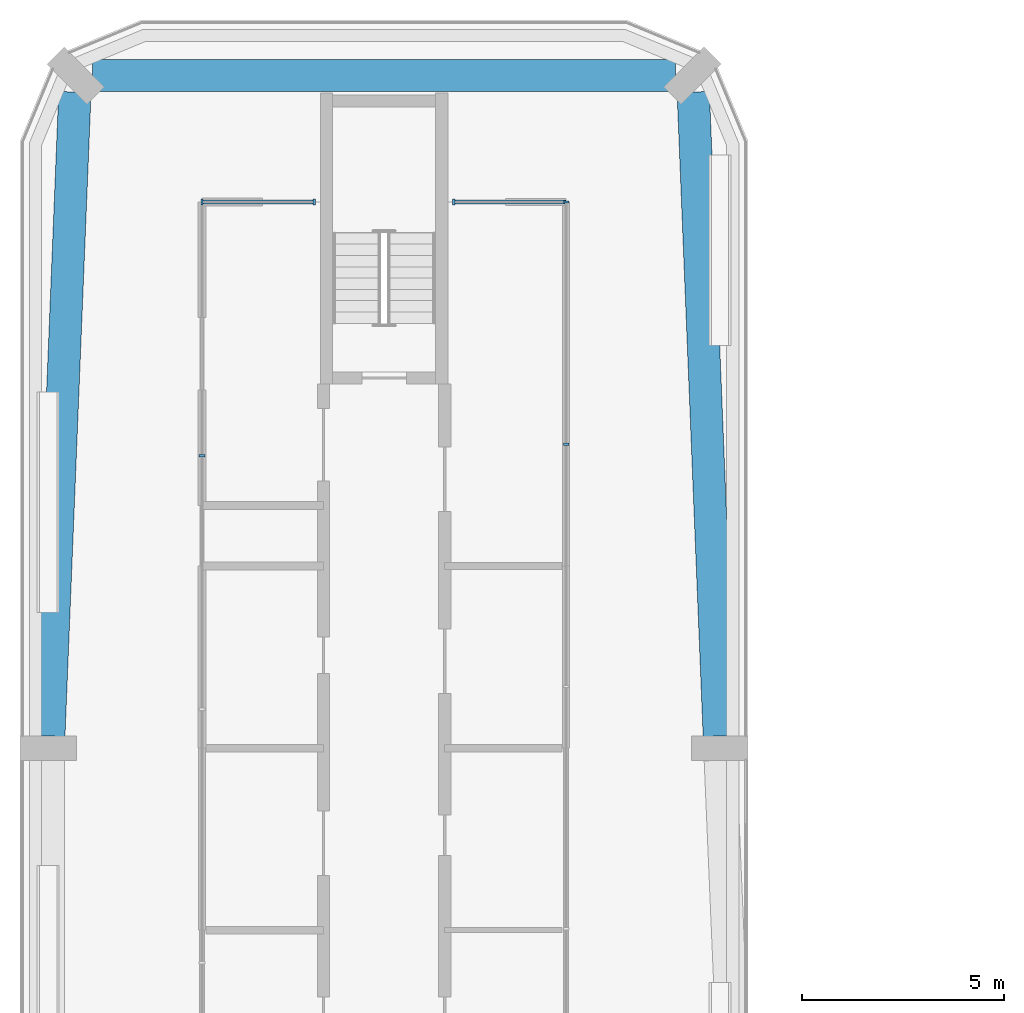
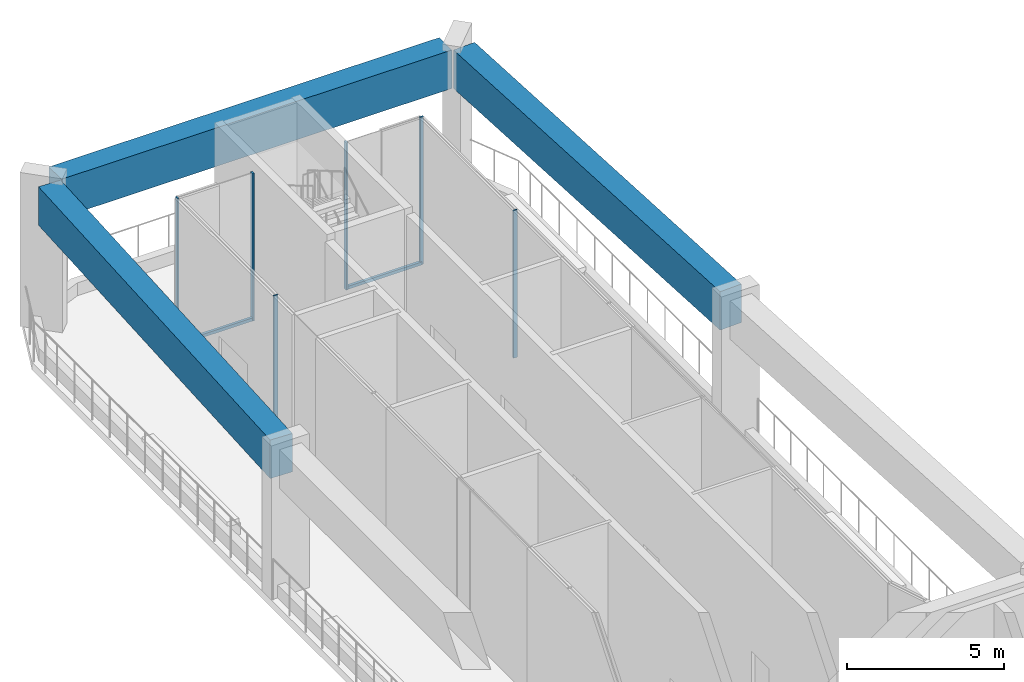
# One storey, part 8 of 17: 8 members, 3 beams, 4 elements without a shape of their own.
"""IFC4 building model written with IfcOpenShell, lengths in metres."""

from ifc_helpers import new_model, si_unit, direction, frame, origin, origin_2d, place, context, subcontext, project, spatial, rectangle, extrude, material, layer, layer_set, material_profile, profile_set, type_object, element, aggregate, save


model = new_model("IFC4")

# Units and contexts
model_context = context("Model", 3, precision=1e-05, world=origin(), true_north=direction((0.0, 1.0)))
body_context = subcontext(model_context, "Body", "Model", "MODEL_VIEW")
ifc_project = project(units=[si_unit("LENGTHUNIT", "METRE"), si_unit("AREAUNIT", "SQUARE_METRE"), si_unit("VOLUMEUNIT", "CUBIC_METRE"), si_unit("PLANEANGLEUNIT", "RADIAN"), si_unit("MASSUNIT", "GRAM", prefix="KILO")], contexts=[model_context])

# Site, building, storey
site_placement = place(None, origin())
site = spatial("IfcSite", under=ifc_project, at=site_placement, CompositionType="ELEMENT")
building_placement = place(site_placement, origin())
building = spatial("IfcBuilding", under=site, at=building_placement, Name="Plateau Cross Towers", CompositionType="ELEMENT")
storey_placement = place(building_placement, frame((0.0, 0.0, 184.89990234375)))
storey = spatial("IfcBuildingStorey", under=building, at=storey_placement, Name="L48", CompositionType="ELEMENT", Elevation=184.89990234375)

# Beams
ifc_material_1 = material(Name="Concrete C60/75", Category="concrete")
ifc_material_profile_1 = material_profile(ifc_material_1, rectangle(XDim=0.800048828125, YDim=1.5, at=origin_2d()), Name="RC 800x1500")
ifc_profile_set_1 = profile_set([ifc_material_profile_1], Name="Concrete C60/75")
beam_type = type_object("IfcBeamType", Name="Belt beam RC 800x1500", PredefinedType="BEAM", material=ifc_profile_set_1)
beam_1_placement = place(storey_placement, frame((17.287841796875, 36.300048828125, 5.0), z_axis=(-0.040487005488, 0.999180065047, 0.0), x_axis=(-0.999180065047, -0.040487005488, 0.0)))
element("IfcBeam", 1, at=beam_1_placement, inside=storey, type_object=beam_type, Name="BELT-L48-07", PredefinedType="BEAM", context=body_context, shape_type="SweptSolid", body=[
    extrude(rectangle(XDim=0.800048828125, YDim=1.5, at=origin_2d()), origin(), (0.0, 0.0, 1.0), 15.931640625),
])
beam_2_placement = place(storey_placement, frame((16.2021484375, 52.62646484375, 5.0), z_axis=(-1.0, 0.0, 0.0), x_axis=(0.0, -1.0, 0.0)))
element("IfcBeam", 2, at=beam_2_placement, inside=storey, type_object=beam_type, Name="BELT-L48-08", PredefinedType="BEAM", context=body_context, shape_type="SweptSolid", body=[
    extrude(rectangle(XDim=0.800048828125, YDim=1.5, at=origin_2d()), origin(), (0.0, 0.0, 1.0), 14.404296875),
])
beam_3_placement = place(storey_placement, frame((1.357177734375, 52.218505859375, 5.0), z_axis=(-0.040487005488, -0.999180065047, 0.0), x_axis=(0.999180065047, -0.040487005488, 0.0)))
element("IfcBeam", 3, at=beam_3_placement, inside=storey, type_object=beam_type, Name="BELT-L48-09", PredefinedType="BEAM", context=body_context, shape_type="SweptSolid", body=[
    extrude(rectangle(XDim=0.800048828125, YDim=1.5, at=origin_2d()), origin(), (0.0, 0.0, 1.0), 15.931640625),
])

# Curtain wall, member
ifc_material_2 = material(Name="Dark low-iron glass", Category="glass")
ifc_layer = layer(ifc_material_2, 0.239990234375)
ifc_layer_set = layer_set([ifc_layer], Name="Dark low-iron glass")
curtain_wall_type = type_object("IfcCurtainWallType", Name="Curtain wall flush unitised CW-B", PredefinedType="NOTDEFINED", material=ifc_layer_set)
curtain_wall_1_placement = place(storey_placement, origin())
curtain_wall_1 = element("IfcCurtainWall", 4, at=curtain_wall_1_placement, inside=storey, type_object=curtain_wall_type, Name="ENV/A/L48/inner0_45_182", PredefinedType="NOTDEFINED")
ifc_material_3 = material(Name="Black anodised aluminium", Category="aluminium")
ifc_material_profile_2 = material_profile(ifc_material_3, rectangle(XDim=0.06005859375, YDim=0.139892578125, at=origin_2d()), Name="MULLION 60x140")
ifc_profile_set_2 = profile_set([ifc_material_profile_2], Name="Black anodised aluminium")
member_type_1 = type_object("IfcMemberType", Name="Mullion 60x140 flush unitised", PredefinedType="MULLION", material=ifc_profile_set_2)
member_1_placement = place(storey_placement, frame((4.5, 43.22998046875, 0.0), z_axis=(0.0, 0.0, 1.0), x_axis=(0.0, 1.0, 0.0)))
member_1 = element("IfcMember", 5, at=member_1_placement, type_object=member_type_1, Name="CW-B mullion 5", PredefinedType="MULLION", context=body_context, shape_type="SweptSolid", body=[
    extrude(rectangle(XDim=0.06005859375, YDim=0.139892578125, at=origin_2d()), origin(), (0.0, 0.0, 1.0), 5.75),
])
aggregate(curtain_wall_1, [member_1])

# Curtain wall, members
curtain_wall_2_placement = place(storey_placement, origin())
curtain_wall_2 = element("IfcCurtainWall", 6, at=curtain_wall_2_placement, inside=storey, type_object=curtain_wall_type, Name="ENV/A/L48/inner0_45_495", PredefinedType="NOTDEFINED")
member_2_placement = place(storey_placement, frame((4.5, 49.5, 0.0), z_axis=(0.0, 0.0, 1.0), x_axis=(1.0, 0.0, 0.0)))
member_2 = element("IfcMember", 7, at=member_2_placement, type_object=member_type_1, Name="CW-B mullion 1", PredefinedType="MULLION", context=body_context, shape_type="SweptSolid", body=[
    extrude(rectangle(XDim=0.06005859375, YDim=0.139892578125, at=origin_2d()), origin(), (0.0, 0.0, 1.0), 5.75),
])
member_3_placement = place(storey_placement, frame((7.27490234375, 49.5, 0.0), z_axis=(0.0, 0.0, 1.0), x_axis=(1.0, 0.0, 0.0)))
member_3 = element("IfcMember", 8, at=member_3_placement, type_object=member_type_1, Name="CW-B mullion 2", PredefinedType="MULLION", context=body_context, shape_type="SweptSolid", body=[
    extrude(rectangle(XDim=0.06005859375, YDim=0.139892578125, at=origin_2d()), origin(), (0.0, 0.0, 1.0), 5.75),
])

# Curtain wall, member
curtain_wall_3_placement = place(storey_placement, origin())
curtain_wall_3 = element("IfcCurtainWall", 9, at=curtain_wall_3_placement, inside=storey, type_object=curtain_wall_type, Name="ENV/A/L48/inner0_107_495", PredefinedType="NOTDEFINED")
member_4_placement = place(storey_placement, frame((10.72509765625, 49.5, 0.0), z_axis=(0.0, 0.0, 1.0), x_axis=(1.0, 0.0, 0.0)))
member_4 = element("IfcMember", 10, at=member_4_placement, type_object=member_type_1, Name="CW-B mullion 1", PredefinedType="MULLION", context=body_context, shape_type="SweptSolid", body=[
    extrude(rectangle(XDim=0.06005859375, YDim=0.139892578125, at=origin_2d()), origin(), (0.0, 0.0, 1.0), 5.75),
])

# Curtain wall, members
curtain_wall_4_placement = place(storey_placement, origin())
curtain_wall_4 = element("IfcCurtainWall", 11, at=curtain_wall_4_placement, inside=storey, type_object=curtain_wall_type, Name="ENV/A/L48/inner0_135_495", PredefinedType="NOTDEFINED")
member_5_placement = place(storey_placement, frame((13.5, 49.5, 0.0), z_axis=(0.0, 0.0, 1.0), x_axis=(0.0, -1.0, 0.0)))
member_5 = element("IfcMember", 12, at=member_5_placement, type_object=member_type_1, Name="CW-B mullion 1", PredefinedType="MULLION", context=body_context, shape_type="SweptSolid", body=[
    extrude(rectangle(XDim=0.06005859375, YDim=0.139892578125, at=origin_2d()), origin(), (0.0, 0.0, 1.0), 5.75),
])
member_6_placement = place(storey_placement, frame((13.5, 43.511962890625, 0.0), z_axis=(0.0, 0.0, 1.0), x_axis=(0.0, -1.0, 0.0)))
member_6 = element("IfcMember", 13, at=member_6_placement, type_object=member_type_1, Name="CW-B mullion 2", PredefinedType="MULLION", context=body_context, shape_type="SweptSolid", body=[
    extrude(rectangle(XDim=0.06005859375, YDim=0.139892578125, at=origin_2d()), origin(), (0.0, 0.0, 1.0), 5.75),
])
aggregate(curtain_wall_4, [member_5, member_6])

# Member
ifc_material_profile_3 = material_profile(ifc_material_3, rectangle(XDim=0.10009765625, YDim=0.1201171875, at=origin_2d()), Name="TRANSOM 100x120")
ifc_profile_set_3 = profile_set([ifc_material_profile_3], Name="Black anodised aluminium")
member_type_2 = type_object("IfcMemberType", Name="Transom 100x120 flush unitised", PredefinedType="USERDEFINED", material=ifc_profile_set_3)
member_7_placement = place(storey_placement, frame((4.5, 49.5, 0.06005859375), z_axis=(1.0, 0.0, 0.0), x_axis=(0.0, 1.0, 0.0)))
member_7 = element("IfcMember", 14, at=member_7_placement, type_object=member_type_2, Name="CW-B transom", ObjectType="TRANSOM", PredefinedType="USERDEFINED", context=body_context, shape_type="SweptSolid", body=[
    extrude(rectangle(XDim=0.10009765625, YDim=0.1201171875, at=origin_2d()), origin(), (0.0, 0.0, 1.0), 2.77490234375),
])

aggregate(curtain_wall_2, [member_2, member_3, member_7])

member_8_placement = place(storey_placement, frame((10.72509765625, 49.5, 0.06005859375), z_axis=(1.0, 0.0, 0.0), x_axis=(0.0, 1.0, 0.0)))
member_8 = element("IfcMember", 15, at=member_8_placement, type_object=member_type_2, Name="CW-B transom", ObjectType="TRANSOM", PredefinedType="USERDEFINED", context=body_context, shape_type="SweptSolid", body=[
    extrude(rectangle(XDim=0.10009765625, YDim=0.1201171875, at=origin_2d()), origin(), (0.0, 0.0, 1.0), 2.77490234375),
])

aggregate(curtain_wall_3, [member_4, member_8])

save(model, "model.ifc")
